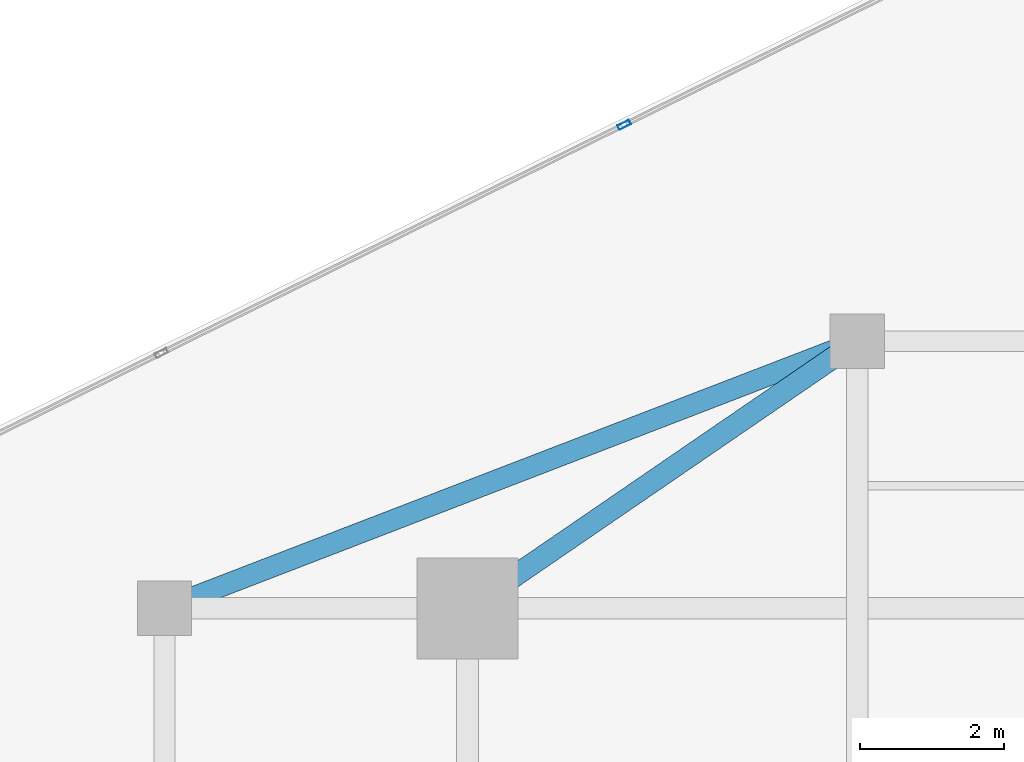
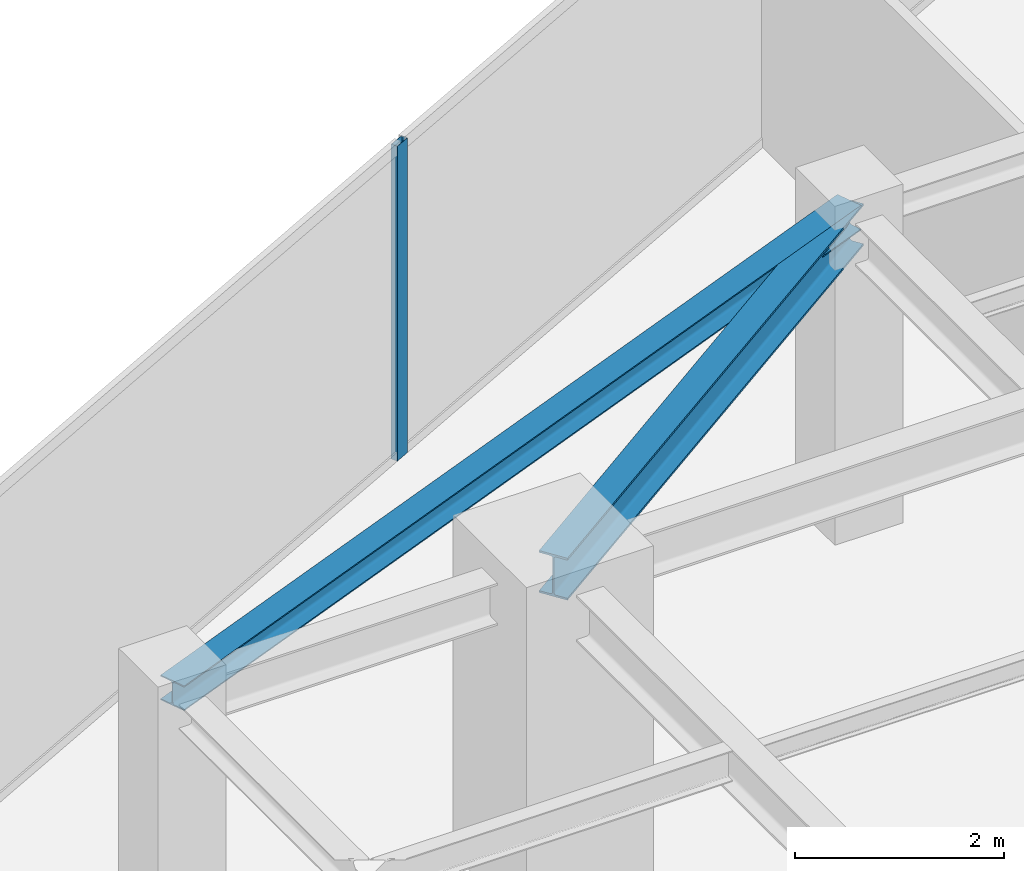
# One storey, part 13 of 22: 2 beams, 1 member, 1 element without a shape of its own.
"""IFC4 building model written with IfcOpenShell, lengths in metres."""

from ifc_helpers import new_model, si_unit, direction, frame, origin, origin_2d, place, context, subcontext, project, spatial, hollow_rectangle, i_section, extrude, source, transform, mapped, material, material_profile, profile_set, type_object, type_shapes, element, aggregate, save


model = new_model("IFC4")

# Units and contexts
model_context = context("Model", 3, precision=1e-05, world=origin(), true_north=direction((0.0, 1.0)))
body_context = subcontext(model_context, "Body", "Model", "MODEL_VIEW")
ifc_project = project(units=[si_unit("LENGTHUNIT", "METRE"), si_unit("AREAUNIT", "SQUARE_METRE"), si_unit("VOLUMEUNIT", "CUBIC_METRE"), si_unit("PLANEANGLEUNIT", "RADIAN"), si_unit("MASSUNIT", "GRAM", prefix="KILO")], contexts=[model_context])

# Site, building, storey
site_placement = place(None, origin())
site = spatial("IfcSite", under=ifc_project, at=site_placement, CompositionType="ELEMENT")
building_placement = place(site_placement, origin())
building = spatial("IfcBuilding", under=site, at=building_placement, Name="Krantzveldt Concourse Tower", CompositionType="ELEMENT")
storey_placement = place(building_placement, frame((0.0, 0.0, 310.85009765625)))
storey = spatial("IfcBuildingStorey", under=building, at=storey_placement, Name="L76", CompositionType="ELEMENT", Elevation=310.85009765625)

# Beams
ifc_material_1 = material(Name="Steel S355JR", Category="steel")
ifc_material_profile_1 = material_profile(ifc_material_1, i_section(OverallWidth=0.300048828125, OverallDepth=0.489990234375, WebThickness=0.011962890625, FlangeThickness=0.02294921875, FilletRadius=0.027099609375, at=origin_2d()), Name="Steel S355JR", Category="steel")
ifc_profile_set_1 = profile_set([ifc_material_profile_1], Name="Steel S355JR - HEA 500")
beam_type_1 = type_object("IfcBeamType", Name="BM-B-HEA500", PredefinedType="BEAM", material=ifc_profile_set_1)
shared_shape_1 = source(origin(), body_context, "Body", "SweptSolid", [
    extrude(i_section(OverallWidth=0.300048828125, OverallDepth=0.489990234375, WebThickness=0.011962890625, FlangeThickness=0.02294921875, FilletRadius=0.027099609375, at=origin_2d()), origin(), (0.0, 0.0, 1.0), 6.546142578125),
])
type_shapes(beam_type_1, [shared_shape_1])
beam_1_placement = place(storey_placement, frame((25.199951171875, 37.5, 3.4248046875), z_axis=(0.824942999484, 0.565215930068, 0.0), x_axis=(-0.565215930068, 0.824942999484, 0.0)))
element("IfcBeam", 1, at=beam_1_placement, inside=storey, type_object=beam_type_1, Name="L76 Tower Girder BR-RL4", PredefinedType="BEAM", context=body_context, shape_type="MappedRepresentation", body=[
    mapped(shared_shape_1, transform((0.0, 0.0, 0.0), x_axis=(1.0, 0.0, 0.0), y_axis=(0.0, 1.0, 0.0), z_axis=(0.0, 0.0, 1.0), scale=1.0)),
])
ifc_material_profile_2 = material_profile(ifc_material_1, i_section(OverallWidth=0.2900390625, OverallDepth=0.2900390625, WebThickness=0.008544921875, FlangeThickness=0.013916015625, FilletRadius=0.027099609375, at=origin_2d()), Name="Steel S355JR", Category="steel")
ifc_profile_set_2 = profile_set([ifc_material_profile_2], Name="Steel S355JR - HEA 300")
beam_type_2 = type_object("IfcBeamType", Name="BM-SP-HEA300", PredefinedType="SPANDREL", material=ifc_profile_set_2)
shared_shape_2 = source(origin(), body_context, "Body", "SweptSolid", [
    extrude(i_section(OverallWidth=0.2900390625, OverallDepth=0.2900390625, WebThickness=0.008544921875, FlangeThickness=0.013916015625, FilletRadius=0.027099609375, at=origin_2d()), origin(), (0.0, 0.0, 1.0), 10.288330078125),
])
type_shapes(beam_type_2, [shared_shape_2])
beam_2_placement = place(storey_placement, frame((21.0, 37.5, 3.52490234375), z_axis=(0.933097690408, 0.359622997257, 0.0), x_axis=(-0.359622997257, 0.933097690408, 0.0)))
element("IfcBeam", 2, at=beam_2_placement, inside=storey, type_object=beam_type_2, Name="L76 Tower Girder SP-R03", PredefinedType="SPANDREL", context=body_context, shape_type="MappedRepresentation", body=[
    mapped(shared_shape_2, transform((0.0, 0.0, 0.0), x_axis=(1.0, 0.0, 0.0), y_axis=(0.0, 1.0, 0.0), z_axis=(0.0, 0.0, 1.0), scale=1.0)),
])

# Curtain wall, member
ifc_material_2 = material(Name="Anodised aluminium 6063-T6", Category="aluminium")
curtain_wall_type = type_object("IfcCurtainWallType", Name="CW4", PredefinedType="USERDEFINED", material=ifc_material_2)
curtain_wall_placement = place(storey_placement, origin())
curtain_wall = element("IfcCurtainWall", 3, at=curtain_wall_placement, inside=storey, type_object=curtain_wall_type, Name="CW-L76-F01", ObjectType="UNITISED CURTAIN WALL", PredefinedType="USERDEFINED")
ifc_material_profile_3 = material_profile(ifc_material_2, hollow_rectangle(XDim=0.070068359375, YDim=0.179931640625, WallThickness=0.0048828125, at=origin_2d()), Name="Anodised aluminium 6063-T6", Category="aluminium")
ifc_profile_set_3 = profile_set([ifc_material_profile_3], Name="Anodised aluminium 6063-T6 - ALU-MULL 180x70x5")
member_type = type_object("IfcMemberType", Name="CW-MUL-180", PredefinedType="MULLION", material=ifc_profile_set_3)
shared_shape_3 = source(origin(), body_context, "Body", "SweptSolid", [
    extrude(hollow_rectangle(XDim=0.070068359375, YDim=0.179931640625, WallThickness=0.0048828125, at=origin_2d()), origin(), (0.0, 0.0, 1.0), 3.669921875),
])
type_shapes(member_type, [shared_shape_3])
member_placement = place(storey_placement, frame((27.370849609375, 44.197998046875, 0.0), z_axis=(0.0, 0.0, 1.0), x_axis=(0.442288511927, -0.896872829457, 0.0)))
member = element("IfcMember", 4, at=member_placement, type_object=member_type, Name="CW-Z56 mullion 3", PredefinedType="MULLION", context=body_context, shape_type="MappedRepresentation", body=[
    mapped(shared_shape_3, transform((0.0, 0.0, 0.0), x_axis=(1.0, 0.0, 0.0), y_axis=(0.0, 1.0, 0.0), z_axis=(0.0, 0.0, 1.0), scale=1.0)),
])
aggregate(curtain_wall, [member])

save(model, "model.ifc")
